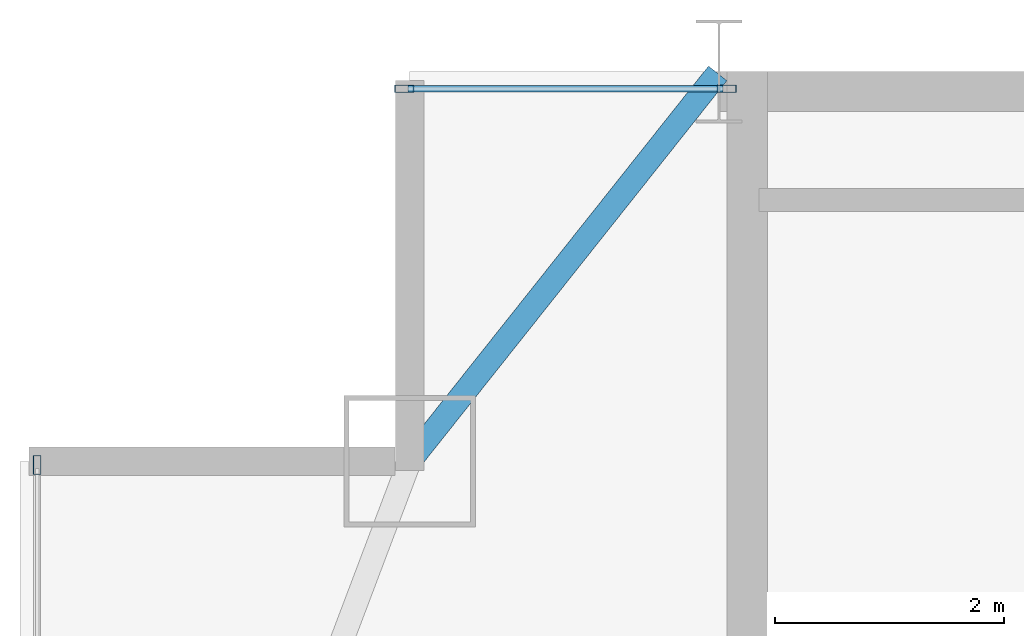
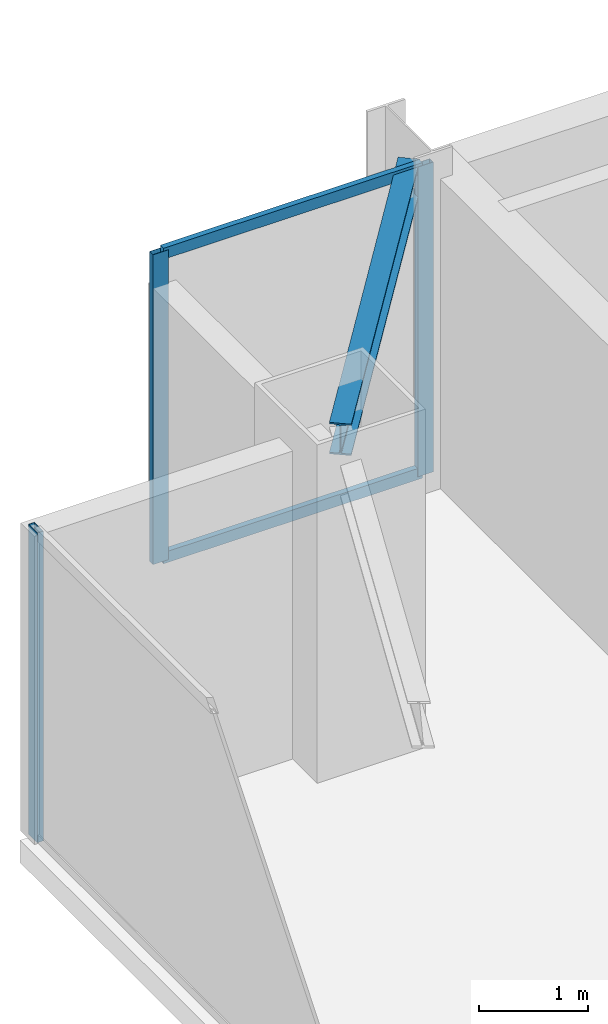
# One storey, part 21 of 28: 5 members, 1 beam, 2 elements without a shape of their own.
"""IFC4 building model written with IfcOpenShell, lengths in metres."""

from ifc_helpers import new_model, si_unit, direction, frame, origin, origin_2d, place, context, subcontext, project, spatial, hollow_rectangle, i_section, extrude, source, transform, mapped, material, layer, layer_set, material_profile, profile_set, type_object, type_shapes, element, aggregate, save


model = new_model("IFC4")

# Units and contexts
model_context = context("Model", 3, precision=1e-05, world=origin(), true_north=direction((0.0, 1.0)))
body_context = subcontext(model_context, "Body", "Model", "MODEL_VIEW")
ifc_project = project(units=[si_unit("LENGTHUNIT", "METRE"), si_unit("AREAUNIT", "SQUARE_METRE"), si_unit("VOLUMEUNIT", "CUBIC_METRE"), si_unit("PLANEANGLEUNIT", "RADIAN"), si_unit("MASSUNIT", "GRAM", prefix="KILO")], contexts=[model_context])

# Site, building, storey
site_placement = place(None, origin())
site = spatial("IfcSite", under=ifc_project, at=site_placement, CompositionType="ELEMENT")
building_placement = place(site_placement, origin())
building = spatial("IfcBuilding", under=site, at=building_placement, Name="Varnel Quay Broadcast Tower", CompositionType="ELEMENT")
storey_placement = place(building_placement, frame((0.0, 0.0, 230.199951171875)))
storey = spatial("IfcBuildingStorey", under=building, at=storey_placement, Name="L57", CompositionType="ELEMENT", Elevation=230.199951171875)

# Beam
ifc_material_1 = material(Name="Structural Steel CSA G40.21 350W", Category="steel")
ifc_material_profile_1 = material_profile(ifc_material_1, i_section(OverallWidth=0.205078125, OverallDepth=0.35400390625, WebThickness=0.009521484375, FlangeThickness=0.016845703125, FilletRadius=0.012939453125, at=origin_2d()), Name="W360X79")
ifc_profile_set_1 = profile_set([ifc_material_profile_1], Name="Structural Steel CSA G40.21 350W")
beam_type = type_object("IfcBeamType", Name="Beam_W360X79", PredefinedType="SPANDREL", material=ifc_profile_set_1)
shared_shape_1 = source(origin(), body_context, "Body", "SweptSolid", [
    extrude(i_section(OverallWidth=0.205078125, OverallDepth=0.35400390625, WebThickness=0.009521484375, FlangeThickness=0.016845703125, FilletRadius=0.012939453125, at=origin_2d()), origin(), (0.0, 0.0, 1.0), 4.301513671875),
])
type_shapes(beam_type, [shared_shape_1])
beam_placement = place(storey_placement, frame((12.912353515625, 43.415771484375, 3.302978515625), z_axis=(0.621936399401, 0.783067758946, 0.0), x_axis=(-0.783067758946, 0.621936399401, 0.0)))
element("IfcBeam", 1, at=beam_placement, inside=storey, type_object=beam_type, Name="L57 NW Tie Spandrel", PredefinedType="SPANDREL", context=body_context, shape_type="MappedRepresentation", body=[
    mapped(shared_shape_1, transform((0.0, 0.0, 0.0), x_axis=(1.0, 0.0, 0.0), y_axis=(0.0, 1.0, 0.0), z_axis=(0.0, 0.0, 1.0), scale=1.0)),
])

# Curtain wall, members
ifc_material_2 = material(Name="Anodised Bronze Aluminium 6063-T6", Category="aluminium")
ifc_layer = layer(ifc_material_2, 0.18994140625, Name="Anodised Bronze Aluminium 6063-T6")
ifc_layer_set = layer_set([ifc_layer], Name="Anodised Bronze Aluminium 6063-T6")
curtain_wall_type = type_object("IfcCurtainWallType", Name="CW_UpperTower", PredefinedType="NOTDEFINED", material=ifc_layer_set)
curtain_wall_1_placement = place(storey_placement, origin())
curtain_wall_1 = element("IfcCurtainWall", 2, at=curtain_wall_1_placement, inside=storey, type_object=curtain_wall_type, Name="L57 NW Wing Curtain Wall", PredefinedType="NOTDEFINED")
ifc_material_profile_2 = material_profile(ifc_material_2, hollow_rectangle(XDim=0.06005859375, YDim=0.125, WallThickness=0.0029296875, at=origin_2d()), Name="ALU60X125X3")
ifc_profile_set_2 = profile_set([ifc_material_profile_2], Name="Anodised Bronze Aluminium 6063-T6")
member_type_1 = type_object("IfcMemberType", Name="Tran_CWS-03", PredefinedType="USERDEFINED", material=ifc_profile_set_2)
shared_shape_2 = source(origin(), body_context, "Body", "SweptSolid", [
    extrude(hollow_rectangle(XDim=0.06005859375, YDim=0.125, WallThickness=0.0029296875, at=origin_2d()), origin(), (0.0, 0.0, 1.0), 2.75),
])
type_shapes(member_type_1, [shared_shape_2])
member_1_placement = place(storey_placement, frame((12.885009765625, 46.64990234375, 0.030029296875), z_axis=(1.0, 0.0, 0.0), x_axis=(0.0, 1.0, 0.0)))
member_1 = element("IfcMember", 3, at=member_1_placement, type_object=member_type_1, Name="CWS-03 transom 1.1", ObjectType="TRANSOM", PredefinedType="USERDEFINED", context=body_context, shape_type="MappedRepresentation", body=[
    mapped(shared_shape_2, transform((0.0, 0.0, 0.0), x_axis=(1.0, 0.0, 0.0), y_axis=(0.0, 1.0, 0.0), z_axis=(0.0, 0.0, 1.0), scale=1.0)),
])
member_2_placement = place(storey_placement, frame((12.885009765625, 46.64990234375, 3.449951171875), z_axis=(1.0, 0.0, 0.0), x_axis=(0.0, 1.0, 0.0)))
member_2 = element("IfcMember", 4, at=member_2_placement, type_object=member_type_1, Name="CWS-03 transom 1.2", ObjectType="TRANSOM", PredefinedType="USERDEFINED", context=body_context, shape_type="MappedRepresentation", body=[
    mapped(shared_shape_2, transform((0.0, 0.0, 0.0), x_axis=(1.0, 0.0, 0.0), y_axis=(0.0, 1.0, 0.0), z_axis=(0.0, 0.0, 1.0), scale=1.0)),
])

# Curtain wall, member
curtain_wall_2_placement = place(storey_placement, origin())
curtain_wall_2 = element("IfcCurtainWall", 5, at=curtain_wall_2_placement, inside=storey, type_object=curtain_wall_type, Name="L57 West Unitised Curtain Wall", PredefinedType="NOTDEFINED")
ifc_material_profile_3 = material_profile(ifc_material_2, hollow_rectangle(XDim=0.06494140625, YDim=0.1650390625, WallThickness=0.00341796875, at=origin_2d()), Name="ALU65X165X3.5")
ifc_profile_set_3 = profile_set([ifc_material_profile_3], Name="Anodised Bronze Aluminium 6063-T6")
member_type_2 = type_object("IfcMemberType", Name="Mull_CWS-03", PredefinedType="MULLION", material=ifc_profile_set_3)
shared_shape_3 = source(origin(), body_context, "Body", "SweptSolid", [
    extrude(hollow_rectangle(XDim=0.06494140625, YDim=0.1650390625, WallThickness=0.00341796875, at=origin_2d()), origin(), (0.0, 0.0, 1.0), 3.47998046875),
])
type_shapes(member_type_2, [shared_shape_3])
member_3_placement = place(storey_placement, frame((9.64990234375, 43.367431640625, 0.0), z_axis=(0.0, 0.0, 1.0), x_axis=(-1.0, 0.0, 0.0)))
member_3 = element("IfcMember", 6, at=member_3_placement, type_object=member_type_2, Name="CWS-03 mullion 3", PredefinedType="MULLION", context=body_context, shape_type="MappedRepresentation", body=[
    mapped(shared_shape_3, transform((0.0, 0.0, 0.0), x_axis=(1.0, 0.0, 0.0), y_axis=(0.0, 1.0, 0.0), z_axis=(0.0, 0.0, 1.0), scale=1.0)),
])
aggregate(curtain_wall_2, [member_3])

# Member
member_4_placement = place(storey_placement, frame((12.8525390625, 46.64990234375, 0.0), z_axis=(0.0, 0.0, 1.0), x_axis=(0.0, 1.0, 0.0)))
member_4 = element("IfcMember", 7, at=member_4_placement, type_object=member_type_2, Name="CWS-03 mullion 1", PredefinedType="MULLION", context=body_context, shape_type="MappedRepresentation", body=[
    mapped(shared_shape_3, transform((0.0, 0.0, 0.0), x_axis=(1.0, 0.0, 0.0), y_axis=(0.0, 1.0, 0.0), z_axis=(0.0, 0.0, 1.0), scale=1.0)),
])

member_5_placement = place(storey_placement, frame((15.66748046875, 46.64990234375, 0.0), z_axis=(0.0, 0.0, 1.0), x_axis=(0.0, 1.0, 0.0)))
member_5 = element("IfcMember", 8, at=member_5_placement, type_object=member_type_2, Name="CWS-03 mullion 2", PredefinedType="MULLION", context=body_context, shape_type="MappedRepresentation", body=[
    mapped(shared_shape_3, transform((0.0, 0.0, 0.0), x_axis=(1.0, 0.0, 0.0), y_axis=(0.0, 1.0, 0.0), z_axis=(0.0, 0.0, 1.0), scale=1.0)),
])

aggregate(curtain_wall_1, [member_4, member_5, member_1, member_2])

save(model, "model.ifc")
